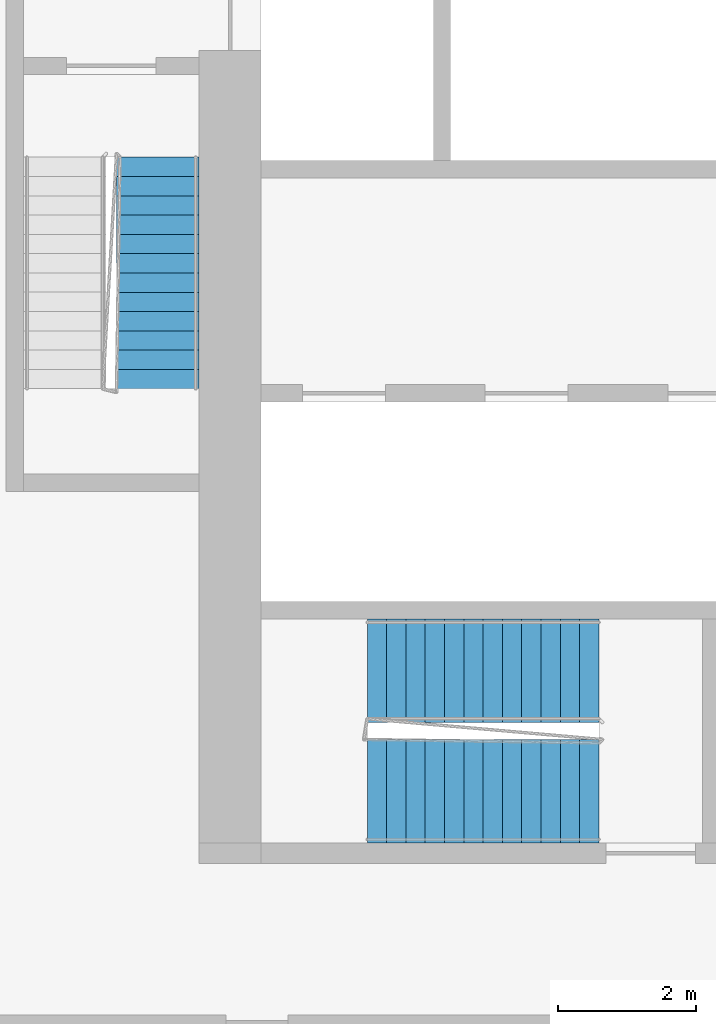
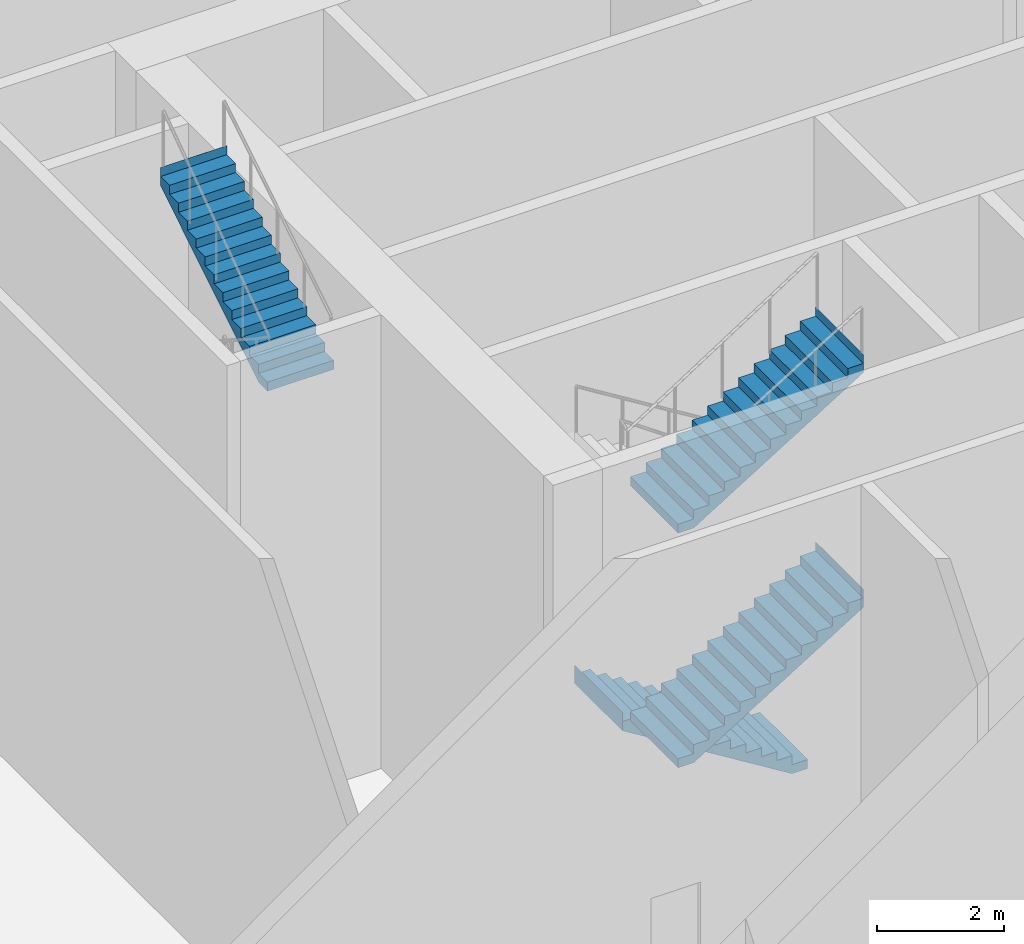
# One storey, part 13 of 24: 4 stair flights, 2 elements without a shape of their own.
"""IFC4 building model written with IfcOpenShell, lengths in metres."""

import ifcopenshell
import ifcopenshell.guid

model = None  # the IFC model being written
_history = None  # IfcOwnerHistory: only IFC2X3 demands one
_inside = {}  # id of a spatial element -> (the spatial element, [elements in it])
_under = {}  # id of a project, library or spatial element -> (it, [spatial elements below it])
_declared = {}  # id of a project -> (the project, [libraries it declares])
_typed = {}  # id of a type object -> (the type object, [elements of that type])
_made_of = {}  # id of a material, layer set ... -> (it, [elements and type objects made of it])


def new_model(schema):
    """Start an empty IFC model of exactly this schema.

    Asked for "IFC4X3", IfcOpenShell would pick the latest addendum, in which some entities
    have other attributes; the version numbers below select the first issue.
    IFC2X3 requires an IfcOwnerHistory on every rooted entity: one is made here for all.
    """
    global model, _history
    if schema == "IFC4X3":
        model = ifcopenshell.file(schema_version=(4, 3, 0, 0))
    else:
        model = ifcopenshell.file(schema=schema)
    _inside.clear()
    _under.clear()
    _declared.clear()
    _typed.clear()
    _made_of.clear()
    _history = None
    if model.schema == "IFC2X3":
        org = make("IfcOrganization", Name="unknown")
        user = make(
            "IfcPersonAndOrganization",
            ThePerson=make("IfcPerson", FamilyName="unknown"),
            TheOrganization=org,
        )
        app = make(
            "IfcApplication",
            ApplicationDeveloper=org,
            Version="unknown",
            ApplicationFullName="unknown",
            ApplicationIdentifier="unknown",
        )
        _history = make(
            "IfcOwnerHistory",
            OwningUser=user,
            OwningApplication=app,
            ChangeAction="ADDED",
            CreationDate=0,
        )
    return model


def make(cls, **values):
    """One entity of the class cls with the attributes given. An attribute that is None is left unset."""
    return model.create_entity(
        cls, **{name: value for name, value in values.items() if value is not None}
    )


def rooted(cls, **values):
    """An entity with a GlobalId (a new one), such as an element, a storey or a relation."""
    return make(cls, GlobalId=ifcopenshell.guid.new(), OwnerHistory=_history, **values)


def si_unit(unit_type, name, prefix=None):
    """IfcSIUnit, for example si_unit("LENGTHUNIT", "METRE", prefix="MILLI")."""
    return make("IfcSIUnit", UnitType=unit_type, Prefix=prefix, Name=name)


def assignment(units):
    """IfcUnitAssignment: the units of a project."""
    return None if units is None else make("IfcUnitAssignment", Units=units)


def point(xyz):
    """IfcCartesianPoint."""
    return None if xyz is None else make("IfcCartesianPoint", Coordinates=xyz)


def direction(xyz):
    """IfcDirection."""
    return None if xyz is None else make("IfcDirection", DirectionRatios=xyz)


def frame(location, z_axis=None, x_axis=None):
    """IfcAxis2Placement3D, a coordinate frame: its origin and axes. An axis left out is left unset."""
    return make(
        "IfcAxis2Placement3D",
        Location=point(location),
        Axis=direction(z_axis),
        RefDirection=direction(x_axis),
    )


def origin():
    """The frame at (0, 0, 0) with its axes left unset."""
    return frame((0.0, 0.0, 0.0))


def place(relative_to, where):
    """IfcLocalPlacement: puts the frame where relative to a parent placement (None: the world)."""
    return make(
        "IfcLocalPlacement", PlacementRelTo=relative_to, RelativePlacement=where
    )


def context(
    kind, dimensions, precision=None, world=None, true_north=None, identifier=None
):
    """IfcGeometricRepresentationContext, for example the 3D "Model" context."""
    return make(
        "IfcGeometricRepresentationContext",
        ContextIdentifier=identifier,
        ContextType=kind,
        CoordinateSpaceDimension=dimensions,
        Precision=precision,
        WorldCoordinateSystem=world,
        TrueNorth=true_north,
    )


def subcontext(parent, identifier, kind, view, scale=None):
    """IfcGeometricRepresentationSubContext, for example "Body" below "Model"."""
    return make(
        "IfcGeometricRepresentationSubContext",
        ContextIdentifier=identifier,
        ContextType=kind,
        ParentContext=parent,
        TargetScale=scale,
        TargetView=view,
    )


def project(units=None, contexts=None):
    """IfcProject with its units and contexts."""
    return rooted(
        "IfcProject",
        Name="project",
        RepresentationContexts=contexts,
        UnitsInContext=assignment(units),
    )


def spatial(cls, under=None, at=None, **own):
    """A site, building, storey or space (cls), placed at a placement, below another one or the project."""
    s = rooted(cls, ObjectPlacement=at, **own)
    if under is not None:
        _under.setdefault(under.id(), (under, []))[1].append(s)
    return s


def faces_of(points, faces, orient=None, outer=None):
    """IfcFace entities. A face is a list of loops; a loop is a list of indices into points, from 0.

    orient and outer hold one flag for each loop. By default every Orientation is true, the
    first loop of a face is its IfcFaceOuterBound and the others are IfcFaceBound.
    """
    made = []
    for i, loops in enumerate(faces):
        bounds = []
        for j, loop in enumerate(loops):
            is_outer = j == 0 if outer is None else outer[i][j]
            bounds.append(
                make(
                    "IfcFaceOuterBound" if is_outer else "IfcFaceBound",
                    Bound=make("IfcPolyLoop", Polygon=[points[k] for k in loop]),
                    Orientation=True if orient is None else orient[i][j],
                )
            )
        made.append(make("IfcFace", Bounds=bounds))
    return made


def faceted_brep(points, faces, orient=None, outer=None, voids=None):
    """IfcFacetedBrep: a solid bounded by flat faces; with voids (closed shells), ...WithVoids."""
    shared = [point(p) for p in points]
    hull = make("IfcClosedShell", CfsFaces=faces_of(shared, faces, orient, outer))
    if voids is None:
        return make("IfcFacetedBrep", Outer=hull)
    return make(
        "IfcFacetedBrepWithVoids",
        Outer=hull,
        Voids=[
            make(cls, CfsFaces=faces_of(shared, fs, o, b)) for cls, fs, o, b in voids
        ],
    )


def shape(context_of_items, identifier, shape_type, items):
    """IfcShapeRepresentation: the items that make up one representation, for example the "Body"."""
    return make(
        "IfcShapeRepresentation",
        ContextOfItems=context_of_items,
        RepresentationIdentifier=identifier,
        RepresentationType=shape_type,
        Items=items,
    )


def material(Name=None, Category=None):
    """IfcMaterial."""
    return make("IfcMaterial", Name=Name, Category=Category)


def made_of(thing, what):
    """Note that an element or type object is made of a material, layer set ...; save() writes the relation."""
    if what is not None:
        _made_of.setdefault(what.id(), (what, []))[1].append(thing)
    return thing


def type_object(cls, material=None, **own):
    """A type object (cls), such as IfcWallType, which elements share."""
    return made_of(rooted(cls, **own), material)


def element(
    cls,
    number,
    at=None,
    inside=None,
    cuts=None,
    type_object=None,
    material=None,
    context=None,
    identifier="Body",
    shape_type=None,
    held_by="IfcProductDefinitionShape",
    body=None,
    shapes=None,
    **own,
):
    """One element of the class cls, such as IfcWall. Its Tag is "e" and its number.

    at: its placement. inside: the storey or other place that contains it. cuts: it is an
    opening in that element (IfcRelVoidsElement). A single representation is given by context,
    identifier, shape_type and body (its items); several are given by shapes. held_by: the class
    of the entity that holds the representations. save() writes the other relations.
    """
    e = rooted(cls, Tag="e%d" % number, ObjectPlacement=at, **own)
    if body is not None:
        shapes = [shape(context, identifier, shape_type, body)]
    if shapes is not None:
        e.Representation = make(held_by, Representations=shapes)
    if inside is not None:
        _inside.setdefault(inside.id(), (inside, []))[1].append(e)
    if cuts is not None:
        rooted(
            "IfcRelVoidsElement", RelatingBuildingElement=cuts, RelatedOpeningElement=e
        )
    if type_object is not None:
        _typed.setdefault(type_object.id(), (type_object, []))[1].append(e)
    return made_of(e, material)


def aggregate(whole, parts):
    """IfcRelAggregates: a whole, such as a stair, and the parts it consists of."""
    return rooted("IfcRelAggregates", RelatingObject=whole, RelatedObjects=parts)


def save(model, path):
    """Write the relations noted so far, then the file.

    IfcRelAggregates (storeys below a building ...), IfcRelContainedInSpatialStructure (elements
    in a storey), IfcRelDefinesByType, IfcRelAssociatesMaterial and IfcRelDeclares: one each for
    every whole, place, type object, material and project.
    """
    for whole, parts in _under.values():
        aggregate(whole, parts)
    for where, things in _inside.values():
        rooted(
            "IfcRelContainedInSpatialStructure",
            RelatedElements=things,
            RelatingStructure=where,
        )
    for kind, things in _typed.values():
        rooted("IfcRelDefinesByType", RelatedObjects=things, RelatingType=kind)
    for what, things in _made_of.values():
        rooted("IfcRelAssociatesMaterial", RelatedObjects=things, RelatingMaterial=what)
    for by, libraries in _declared.values():
        rooted("IfcRelDeclares", RelatingContext=by, RelatedDefinitions=libraries)
    model.write(path)


model = new_model("IFC4")

# Units and contexts
model_context = context("Model", 3, precision=1e-05, world=origin(), true_north=direction((0.0, 1.0)))
body_context = subcontext(model_context, "Body", "Model", "MODEL_VIEW")
ifc_project = project(units=[si_unit("LENGTHUNIT", "METRE"), si_unit("AREAUNIT", "SQUARE_METRE"), si_unit("VOLUMEUNIT", "CUBIC_METRE"), si_unit("PLANEANGLEUNIT", "RADIAN"), si_unit("MASSUNIT", "GRAM", prefix="KILO")], contexts=[model_context])

# Site, building, storey
site_placement = place(None, origin())
site = spatial("IfcSite", under=ifc_project, at=site_placement, CompositionType="ELEMENT")
building_placement = place(site_placement, origin())
building = spatial("IfcBuilding", under=site, at=building_placement, Name="Kajstack Hotel Tower", CompositionType="ELEMENT")
storey_placement = place(building_placement, frame((0.0, 0.0, 38.0)))
storey = spatial("IfcBuildingStorey", under=building, at=storey_placement, Name="L06", CompositionType="ELEMENT", Elevation=38.0)

# Stair, stair flight
ifc_material = material(Name="Concrete C40/50", Category="concrete")
stair_type_1 = type_object("IfcStairType", Name="Exit stair 1200", PredefinedType="HALF_TURN_STAIR", material=ifc_material)
stair_1_placement = place(storey_placement, origin())
stair_1 = element("IfcStair", 1, at=stair_1_placement, inside=storey, type_object=stair_type_1, Name="L06 stair W1", PredefinedType="HALF_TURN_STAIR")
stair_flight_type_1 = type_object("IfcStairFlightType", Name="Exit stair flight 1200", PredefinedType="STRAIGHT", material=ifc_material)
stair_flight_1_placement = place(storey_placement, frame((-32.10009765625, -8.610107421875, 6.75), z_axis=(0.0, 0.0, 1.0), x_axis=(0.0, 1.0, 0.0)))
stair_flight_1 = element("IfcStairFlight", 2, at=stair_flight_1_placement, type_object=stair_flight_type_1, Name="W1 flight 4", NumberOfRisers=13, NumberOfTreads=12, PredefinedType="STRAIGHT", RiserHeight=0.173076923, TreadLength=0.28, context=body_context, shape_type="Brep", body=[
    faceted_brep([(0.28564453125, -0.60009765625, 0.0), (3.360595703125, -0.60009765625, 1.900634765625), (3.360595703125, -0.60009765625, 2.25), (3.360107421875, -0.60009765625, 2.25), (3.360107421875, -0.60009765625, 2.076904296875), (3.080078125, -0.60009765625, 2.076904296875), (3.080078125, -0.60009765625, 1.90380859375), (2.800048828125, -0.60009765625, 1.90380859375), (2.800048828125, -0.60009765625, 1.730712890625), (2.52001953125, -0.60009765625, 1.730712890625), (2.52001953125, -0.60009765625, 1.5576171875), (2.239990234375, -0.60009765625, 1.5576171875), (2.239990234375, -0.60009765625, 1.384521484375), (1.9599609375, -0.60009765625, 1.384521484375), (1.9599609375, -0.60009765625, 1.21142578125), (1.679931640625, -0.60009765625, 1.21142578125), (1.679931640625, -0.60009765625, 1.03857421875), (1.39990234375, -0.60009765625, 1.03857421875), (1.39990234375, -0.60009765625, 0.865478515625), (1.1201171875, -0.60009765625, 0.865478515625), (1.1201171875, -0.60009765625, 0.6923828125), (0.840087890625, -0.60009765625, 0.6923828125), (0.840087890625, -0.60009765625, 0.519287109375), (0.56005859375, -0.60009765625, 0.519287109375), (0.56005859375, -0.60009765625, 0.34619140625), (0.280029296875, -0.60009765625, 0.34619140625), (0.280029296875, -0.60009765625, 0.173095703125), (-0.00048828125, -0.60009765625, 0.173095703125), (-0.00048828125, -0.60009765625, 0.0), (-0.00048828125, 0.60009765625, 0.0), (-0.00048828125, 0.60009765625, 0.173095703125), (0.280029296875, 0.60009765625, 0.173095703125), (0.280029296875, 0.60009765625, 0.34619140625), (0.56005859375, 0.60009765625, 0.34619140625), (0.56005859375, 0.60009765625, 0.519287109375), (0.840087890625, 0.60009765625, 0.519287109375), (0.840087890625, 0.60009765625, 0.6923828125), (1.1201171875, 0.60009765625, 0.6923828125), (1.1201171875, 0.60009765625, 0.865478515625), (1.39990234375, 0.60009765625, 0.865478515625), (1.39990234375, 0.60009765625, 1.03857421875), (1.679931640625, 0.60009765625, 1.03857421875), (1.679931640625, 0.60009765625, 1.21142578125), (1.9599609375, 0.60009765625, 1.21142578125), (1.9599609375, 0.60009765625, 1.384521484375), (2.239990234375, 0.60009765625, 1.384521484375), (2.239990234375, 0.60009765625, 1.5576171875), (2.52001953125, 0.60009765625, 1.5576171875), (2.52001953125, 0.60009765625, 1.730712890625), (2.800048828125, 0.60009765625, 1.730712890625), (2.800048828125, 0.60009765625, 1.90380859375), (3.080078125, 0.60009765625, 1.90380859375), (3.080078125, 0.60009765625, 2.076904296875), (3.360107421875, 0.60009765625, 2.076904296875), (3.360107421875, 0.60009765625, 2.25), (3.360595703125, 0.60009765625, 2.25), (3.360595703125, 0.60009765625, 1.900634765625), (0.28564453125, 0.60009765625, 0.0), (-0.00048828125, -0.300048828125, 0.173095703125), (-0.00048828125, 0.0, 0.173095703125), (-0.00048828125, 0.300048828125, 0.173095703125), (-0.00048828125, 0.300048828125, 0.0), (-0.00048828125, 0.0, 0.0), (-0.00048828125, -0.300048828125, 0.0), (0.280029296875, -0.300048828125, 0.173095703125), (0.280029296875, 0.0, 0.173095703125), (0.280029296875, 0.300048828125, 0.173095703125), (0.280029296875, -0.300048828125, 0.34619140625), (0.280029296875, 0.0, 0.34619140625), (0.280029296875, 0.300048828125, 0.34619140625), (0.56005859375, -0.300048828125, 0.34619140625), (0.56005859375, 0.0, 0.34619140625), (0.56005859375, 0.300048828125, 0.34619140625), (0.56005859375, -0.300048828125, 0.519287109375), (0.56005859375, 0.0, 0.519287109375), (0.56005859375, 0.300048828125, 0.519287109375), (0.840087890625, -0.300048828125, 0.519287109375), (0.840087890625, 0.0, 0.519287109375), (0.840087890625, 0.300048828125, 0.519287109375), (0.840087890625, -0.300048828125, 0.6923828125), (0.840087890625, 0.0, 0.6923828125), (0.840087890625, 0.300048828125, 0.6923828125), (1.1201171875, -0.300048828125, 0.6923828125), (1.1201171875, 0.0, 0.6923828125), (1.1201171875, 0.300048828125, 0.6923828125), (1.1201171875, -0.300048828125, 0.865478515625), (1.1201171875, 0.0, 0.865478515625), (1.1201171875, 0.300048828125, 0.865478515625), (1.39990234375, -0.300048828125, 0.865478515625), (1.39990234375, 0.0, 0.865478515625), (1.39990234375, 0.300048828125, 0.865478515625), (1.39990234375, -0.300048828125, 1.03857421875), (1.39990234375, 0.0, 1.03857421875), (1.39990234375, 0.300048828125, 1.03857421875), (1.679931640625, -0.300048828125, 1.03857421875), (1.679931640625, 0.0, 1.03857421875), (1.679931640625, 0.300048828125, 1.03857421875), (1.679931640625, -0.300048828125, 1.21142578125), (1.679931640625, 0.0, 1.21142578125), (1.679931640625, 0.300048828125, 1.21142578125), (1.9599609375, -0.300048828125, 1.21142578125), (1.9599609375, 0.0, 1.21142578125), (1.9599609375, 0.300048828125, 1.21142578125), (1.9599609375, -0.300048828125, 1.384521484375), (1.9599609375, 0.0, 1.384521484375), (1.9599609375, 0.300048828125, 1.384521484375), (2.239990234375, -0.300048828125, 1.384521484375), (2.239990234375, 0.0, 1.384521484375), (2.239990234375, 0.300048828125, 1.384521484375), (2.239990234375, -0.300048828125, 1.5576171875), (2.239990234375, 0.0, 1.5576171875), (2.239990234375, 0.300048828125, 1.5576171875), (2.52001953125, -0.300048828125, 1.5576171875), (2.52001953125, 0.0, 1.5576171875), (2.52001953125, 0.300048828125, 1.5576171875), (2.52001953125, -0.300048828125, 1.730712890625), (2.52001953125, 0.0, 1.730712890625), (2.52001953125, 0.300048828125, 1.730712890625), (2.800048828125, -0.300048828125, 1.730712890625), (2.800048828125, 0.0, 1.730712890625), (2.800048828125, 0.300048828125, 1.730712890625), (2.800048828125, -0.300048828125, 1.90380859375), (2.800048828125, 0.0, 1.90380859375), (2.800048828125, 0.300048828125, 1.90380859375), (3.080078125, -0.300048828125, 1.90380859375), (3.080078125, 0.0, 1.90380859375), (3.080078125, 0.300048828125, 1.90380859375), (3.080078125, -0.300048828125, 2.076904296875), (3.080078125, 0.0, 2.076904296875), (3.080078125, 0.300048828125, 2.076904296875), (3.360107421875, -0.300048828125, 2.076904296875), (3.360107421875, 0.0, 2.076904296875), (3.360107421875, 0.300048828125, 2.076904296875), (3.360107421875, -0.300048828125, 2.25), (3.360107421875, 0.0, 2.25), (3.360107421875, 0.300048828125, 2.25), (3.360595703125, -0.300048828125, 2.25), (3.360595703125, 0.0, 2.25), (3.360595703125, 0.300048828125, 2.25), (3.360595703125, -0.300048828125, 1.900634765625), (3.360595703125, 0.0, 1.900634765625), (3.360595703125, 0.300048828125, 1.900634765625), (0.28564453125, -0.300048828125, 0.0), (0.28564453125, 0.0, 0.0), (0.28564453125, 0.300048828125, 0.0)], [[[0, 1, 2, 3, 4, 5, 6, 7, 8, 9, 10, 11, 12, 13, 14, 15, 16, 17, 18, 19, 20, 21, 22, 23, 24, 25, 26, 27, 28]], [[29, 30, 31, 32, 33, 34, 35, 36, 37, 38, 39, 40, 41, 42, 43, 44, 45, 46, 47, 48, 49, 50, 51, 52, 53, 54, 55, 56, 57]], [[27, 58, 59, 60, 30, 29, 61, 62, 63, 28]], [[26, 64, 65, 66, 31, 30, 60, 59, 58, 27]], [[25, 67, 68, 69, 32, 31, 66, 65, 64, 26]], [[24, 70, 71, 72, 33, 32, 69, 68, 67, 25]], [[23, 73, 74, 75, 34, 33, 72, 71, 70, 24]], [[22, 76, 77, 78, 35, 34, 75, 74, 73, 23]], [[21, 79, 80, 81, 36, 35, 78, 77, 76, 22]], [[20, 82, 83, 84, 37, 36, 81, 80, 79, 21]], [[19, 85, 86, 87, 38, 37, 84, 83, 82, 20]], [[18, 88, 89, 90, 39, 38, 87, 86, 85, 19]], [[17, 91, 92, 93, 40, 39, 90, 89, 88, 18]], [[16, 94, 95, 96, 41, 40, 93, 92, 91, 17]], [[15, 97, 98, 99, 42, 41, 96, 95, 94, 16]], [[14, 100, 101, 102, 43, 42, 99, 98, 97, 15]], [[13, 103, 104, 105, 44, 43, 102, 101, 100, 14]], [[12, 106, 107, 108, 45, 44, 105, 104, 103, 13]], [[11, 109, 110, 111, 46, 45, 108, 107, 106, 12]], [[10, 112, 113, 114, 47, 46, 111, 110, 109, 11]], [[9, 115, 116, 117, 48, 47, 114, 113, 112, 10]], [[8, 118, 119, 120, 49, 48, 117, 116, 115, 9]], [[7, 121, 122, 123, 50, 49, 120, 119, 118, 8]], [[6, 124, 125, 126, 51, 50, 123, 122, 121, 7]], [[5, 127, 128, 129, 52, 51, 126, 125, 124, 6]], [[4, 130, 131, 132, 53, 52, 129, 128, 127, 5]], [[3, 133, 134, 135, 54, 53, 132, 131, 130, 4]], [[2, 136, 137, 138, 55, 54, 135, 134, 133, 3]], [[1, 139, 140, 141, 56, 55, 138, 137, 136, 2]], [[0, 142, 143, 144, 57, 56, 141, 140, 139, 1]], [[28, 63, 62, 61, 29, 57, 144, 143, 142, 0]]]),
])
aggregate(stair_1, [stair_flight_1])

# Stair, stair flights
stair_type_2 = type_object("IfcStairType", Name="Exit stair 1500", PredefinedType="HALF_TURN_STAIR", material=ifc_material)
stair_2_placement = place(storey_placement, origin())
stair_2 = element("IfcStair", 3, at=stair_2_placement, inside=storey, type_object=stair_type_2, Name="L06 stair W3", PredefinedType="HALF_TURN_STAIR")
stair_flight_type_2 = type_object("IfcStairFlightType", Name="Exit stair flight 1500", PredefinedType="STRAIGHT", material=ifc_material)
stair_flight_2_placement = place(storey_placement, frame((-25.699951171875, -12.699951171875, 0.0), z_axis=(0.0, 0.0, 1.0), x_axis=(-1.0, 0.0, 0.0)))
stair_flight_2 = element("IfcStairFlight", 4, at=stair_flight_2_placement, type_object=stair_flight_type_2, Name="W3 flight 1", NumberOfRisers=13, NumberOfTreads=12, PredefinedType="STRAIGHT", RiserHeight=0.173076923, TreadLength=0.28, context=body_context, shape_type="Brep", body=[
    faceted_brep([(0.28564453125, -0.75, 0.0), (3.360595703125, -0.75, 1.900634765625), (3.360595703125, -0.75, 2.25), (3.360107421875, -0.75, 2.25), (3.360107421875, -0.75, 2.076904296875), (3.080078125, -0.75, 2.076904296875), (3.080078125, -0.75, 1.90380859375), (2.800048828125, -0.75, 1.90380859375), (2.800048828125, -0.75, 1.730712890625), (2.52001953125, -0.75, 1.730712890625), (2.52001953125, -0.75, 1.5576171875), (2.239990234375, -0.75, 1.5576171875), (2.239990234375, -0.75, 1.384521484375), (1.9599609375, -0.75, 1.384521484375), (1.9599609375, -0.75, 1.21142578125), (1.679931640625, -0.75, 1.21142578125), (1.679931640625, -0.75, 1.03857421875), (1.39990234375, -0.75, 1.03857421875), (1.39990234375, -0.75, 0.865478515625), (1.1201171875, -0.75, 0.865478515625), (1.1201171875, -0.75, 0.6923828125), (0.840087890625, -0.75, 0.6923828125), (0.840087890625, -0.75, 0.519287109375), (0.56005859375, -0.75, 0.519287109375), (0.56005859375, -0.75, 0.34619140625), (0.280029296875, -0.75, 0.34619140625), (0.280029296875, -0.75, 0.173095703125), (-0.00048828125, -0.75, 0.173095703125), (-0.00048828125, -0.75, 0.0), (-0.00048828125, 0.75, 0.0), (-0.00048828125, 0.75, 0.173095703125), (0.280029296875, 0.75, 0.173095703125), (0.280029296875, 0.75, 0.34619140625), (0.56005859375, 0.75, 0.34619140625), (0.56005859375, 0.75, 0.519287109375), (0.840087890625, 0.75, 0.519287109375), (0.840087890625, 0.75, 0.6923828125), (1.1201171875, 0.75, 0.6923828125), (1.1201171875, 0.75, 0.865478515625), (1.39990234375, 0.75, 0.865478515625), (1.39990234375, 0.75, 1.03857421875), (1.679931640625, 0.75, 1.03857421875), (1.679931640625, 0.75, 1.21142578125), (1.9599609375, 0.75, 1.21142578125), (1.9599609375, 0.75, 1.384521484375), (2.239990234375, 0.75, 1.384521484375), (2.239990234375, 0.75, 1.5576171875), (2.52001953125, 0.75, 1.5576171875), (2.52001953125, 0.75, 1.730712890625), (2.800048828125, 0.75, 1.730712890625), (2.800048828125, 0.75, 1.90380859375), (3.080078125, 0.75, 1.90380859375), (3.080078125, 0.75, 2.076904296875), (3.360107421875, 0.75, 2.076904296875), (3.360107421875, 0.75, 2.25), (3.360595703125, 0.75, 2.25), (3.360595703125, 0.75, 1.900634765625), (0.28564453125, 0.75, 0.0), (-0.00048828125, -0.375, 0.173095703125), (-0.00048828125, 0.0, 0.173095703125), (-0.00048828125, 0.375, 0.173095703125), (-0.00048828125, 0.375, 0.0), (-0.00048828125, 0.0, 0.0), (-0.00048828125, -0.375, 0.0), (0.280029296875, -0.375, 0.173095703125), (0.280029296875, 0.0, 0.173095703125), (0.280029296875, 0.375, 0.173095703125), (0.280029296875, -0.375, 0.34619140625), (0.280029296875, 0.0, 0.34619140625), (0.280029296875, 0.375, 0.34619140625), (0.56005859375, -0.375, 0.34619140625), (0.56005859375, 0.0, 0.34619140625), (0.56005859375, 0.375, 0.34619140625), (0.56005859375, -0.375, 0.519287109375), (0.56005859375, 0.0, 0.519287109375), (0.56005859375, 0.375, 0.519287109375), (0.840087890625, -0.375, 0.519287109375), (0.840087890625, 0.0, 0.519287109375), (0.840087890625, 0.375, 0.519287109375), (0.840087890625, -0.375, 0.6923828125), (0.840087890625, 0.0, 0.6923828125), (0.840087890625, 0.375, 0.6923828125), (1.1201171875, -0.375, 0.6923828125), (1.1201171875, 0.0, 0.6923828125), (1.1201171875, 0.375, 0.6923828125), (1.1201171875, -0.375, 0.865478515625), (1.1201171875, 0.0, 0.865478515625), (1.1201171875, 0.375, 0.865478515625), (1.39990234375, -0.375, 0.865478515625), (1.39990234375, 0.0, 0.865478515625), (1.39990234375, 0.375, 0.865478515625), (1.39990234375, -0.375, 1.03857421875), (1.39990234375, 0.0, 1.03857421875), (1.39990234375, 0.375, 1.03857421875), (1.679931640625, -0.375, 1.03857421875), (1.679931640625, 0.0, 1.03857421875), (1.679931640625, 0.375, 1.03857421875), (1.679931640625, -0.375, 1.21142578125), (1.679931640625, 0.0, 1.21142578125), (1.679931640625, 0.375, 1.21142578125), (1.9599609375, -0.375, 1.21142578125), (1.9599609375, 0.0, 1.21142578125), (1.9599609375, 0.375, 1.21142578125), (1.9599609375, -0.375, 1.384521484375), (1.9599609375, 0.0, 1.384521484375), (1.9599609375, 0.375, 1.384521484375), (2.239990234375, -0.375, 1.384521484375), (2.239990234375, 0.0, 1.384521484375), (2.239990234375, 0.375, 1.384521484375), (2.239990234375, -0.375, 1.5576171875), (2.239990234375, 0.0, 1.5576171875), (2.239990234375, 0.375, 1.5576171875), (2.52001953125, -0.375, 1.5576171875), (2.52001953125, 0.0, 1.5576171875), (2.52001953125, 0.375, 1.5576171875), (2.52001953125, -0.375, 1.730712890625), (2.52001953125, 0.0, 1.730712890625), (2.52001953125, 0.375, 1.730712890625), (2.800048828125, -0.375, 1.730712890625), (2.800048828125, 0.0, 1.730712890625), (2.800048828125, 0.375, 1.730712890625), (2.800048828125, -0.375, 1.90380859375), (2.800048828125, 0.0, 1.90380859375), (2.800048828125, 0.375, 1.90380859375), (3.080078125, -0.375, 1.90380859375), (3.080078125, 0.0, 1.90380859375), (3.080078125, 0.375, 1.90380859375), (3.080078125, -0.375, 2.076904296875), (3.080078125, 0.0, 2.076904296875), (3.080078125, 0.375, 2.076904296875), (3.360107421875, -0.375, 2.076904296875), (3.360107421875, 0.0, 2.076904296875), (3.360107421875, 0.375, 2.076904296875), (3.360107421875, -0.375, 2.25), (3.360107421875, 0.0, 2.25), (3.360107421875, 0.375, 2.25), (3.360595703125, -0.375, 2.25), (3.360595703125, 0.0, 2.25), (3.360595703125, 0.375, 2.25), (3.360595703125, -0.375, 1.900634765625), (3.360595703125, 0.0, 1.900634765625), (3.360595703125, 0.375, 1.900634765625), (0.28564453125, -0.375, 0.0), (0.28564453125, 0.0, 0.0), (0.28564453125, 0.375, 0.0)], [[[0, 1, 2, 3, 4, 5, 6, 7, 8, 9, 10, 11, 12, 13, 14, 15, 16, 17, 18, 19, 20, 21, 22, 23, 24, 25, 26, 27, 28]], [[29, 30, 31, 32, 33, 34, 35, 36, 37, 38, 39, 40, 41, 42, 43, 44, 45, 46, 47, 48, 49, 50, 51, 52, 53, 54, 55, 56, 57]], [[27, 58, 59, 60, 30, 29, 61, 62, 63, 28]], [[26, 64, 65, 66, 31, 30, 60, 59, 58, 27]], [[25, 67, 68, 69, 32, 31, 66, 65, 64, 26]], [[24, 70, 71, 72, 33, 32, 69, 68, 67, 25]], [[23, 73, 74, 75, 34, 33, 72, 71, 70, 24]], [[22, 76, 77, 78, 35, 34, 75, 74, 73, 23]], [[21, 79, 80, 81, 36, 35, 78, 77, 76, 22]], [[20, 82, 83, 84, 37, 36, 81, 80, 79, 21]], [[19, 85, 86, 87, 38, 37, 84, 83, 82, 20]], [[18, 88, 89, 90, 39, 38, 87, 86, 85, 19]], [[17, 91, 92, 93, 40, 39, 90, 89, 88, 18]], [[16, 94, 95, 96, 41, 40, 93, 92, 91, 17]], [[15, 97, 98, 99, 42, 41, 96, 95, 94, 16]], [[14, 100, 101, 102, 43, 42, 99, 98, 97, 15]], [[13, 103, 104, 105, 44, 43, 102, 101, 100, 14]], [[12, 106, 107, 108, 45, 44, 105, 104, 103, 13]], [[11, 109, 110, 111, 46, 45, 108, 107, 106, 12]], [[10, 112, 113, 114, 47, 46, 111, 110, 109, 11]], [[9, 115, 116, 117, 48, 47, 114, 113, 112, 10]], [[8, 118, 119, 120, 49, 48, 117, 116, 115, 9]], [[7, 121, 122, 123, 50, 49, 120, 119, 118, 8]], [[6, 124, 125, 126, 51, 50, 123, 122, 121, 7]], [[5, 127, 128, 129, 52, 51, 126, 125, 124, 6]], [[4, 130, 131, 132, 53, 52, 129, 128, 127, 5]], [[3, 133, 134, 135, 54, 53, 132, 131, 130, 4]], [[2, 136, 137, 138, 55, 54, 135, 134, 133, 3]], [[1, 139, 140, 141, 56, 55, 138, 137, 136, 2]], [[0, 142, 143, 144, 57, 56, 141, 140, 139, 1]], [[28, 63, 62, 61, 29, 57, 144, 143, 142, 0]]]),
])
stair_flight_3_placement = place(storey_placement, frame((-29.06005859375, -14.449951171875, 2.25), z_axis=(0.0, 0.0, 1.0), x_axis=(1.0, 0.0, 0.0)))
stair_flight_3 = element("IfcStairFlight", 5, at=stair_flight_3_placement, type_object=stair_flight_type_2, Name="W3 flight 2", NumberOfRisers=13, NumberOfTreads=12, PredefinedType="STRAIGHT", RiserHeight=0.173076923, TreadLength=0.28, context=body_context, shape_type="Brep", body=[
    faceted_brep([(0.28564453125, -0.75, 0.0), (3.360595703125, -0.75, 1.900634765625), (3.360595703125, -0.75, 2.25), (3.360107421875, -0.75, 2.25), (3.360107421875, -0.75, 2.076904296875), (3.080078125, -0.75, 2.076904296875), (3.080078125, -0.75, 1.90380859375), (2.800048828125, -0.75, 1.90380859375), (2.800048828125, -0.75, 1.730712890625), (2.52001953125, -0.75, 1.730712890625), (2.52001953125, -0.75, 1.5576171875), (2.239990234375, -0.75, 1.5576171875), (2.239990234375, -0.75, 1.384521484375), (1.9599609375, -0.75, 1.384521484375), (1.9599609375, -0.75, 1.21142578125), (1.679931640625, -0.75, 1.21142578125), (1.679931640625, -0.75, 1.03857421875), (1.39990234375, -0.75, 1.03857421875), (1.39990234375, -0.75, 0.865478515625), (1.1201171875, -0.75, 0.865478515625), (1.1201171875, -0.75, 0.6923828125), (0.840087890625, -0.75, 0.6923828125), (0.840087890625, -0.75, 0.519287109375), (0.56005859375, -0.75, 0.519287109375), (0.56005859375, -0.75, 0.34619140625), (0.280029296875, -0.75, 0.34619140625), (0.280029296875, -0.75, 0.173095703125), (-0.00048828125, -0.75, 0.173095703125), (-0.00048828125, -0.75, 0.0), (-0.00048828125, 0.75, 0.0), (-0.00048828125, 0.75, 0.173095703125), (0.280029296875, 0.75, 0.173095703125), (0.280029296875, 0.75, 0.34619140625), (0.56005859375, 0.75, 0.34619140625), (0.56005859375, 0.75, 0.519287109375), (0.840087890625, 0.75, 0.519287109375), (0.840087890625, 0.75, 0.6923828125), (1.1201171875, 0.75, 0.6923828125), (1.1201171875, 0.75, 0.865478515625), (1.39990234375, 0.75, 0.865478515625), (1.39990234375, 0.75, 1.03857421875), (1.679931640625, 0.75, 1.03857421875), (1.679931640625, 0.75, 1.21142578125), (1.9599609375, 0.75, 1.21142578125), (1.9599609375, 0.75, 1.384521484375), (2.239990234375, 0.75, 1.384521484375), (2.239990234375, 0.75, 1.5576171875), (2.52001953125, 0.75, 1.5576171875), (2.52001953125, 0.75, 1.730712890625), (2.800048828125, 0.75, 1.730712890625), (2.800048828125, 0.75, 1.90380859375), (3.080078125, 0.75, 1.90380859375), (3.080078125, 0.75, 2.076904296875), (3.360107421875, 0.75, 2.076904296875), (3.360107421875, 0.75, 2.25), (3.360595703125, 0.75, 2.25), (3.360595703125, 0.75, 1.900634765625), (0.28564453125, 0.75, 0.0), (-0.00048828125, -0.375, 0.173095703125), (-0.00048828125, 0.0, 0.173095703125), (-0.00048828125, 0.375, 0.173095703125), (-0.00048828125, 0.375, 0.0), (-0.00048828125, 0.0, 0.0), (-0.00048828125, -0.375, 0.0), (0.280029296875, -0.375, 0.173095703125), (0.280029296875, 0.0, 0.173095703125), (0.280029296875, 0.375, 0.173095703125), (0.280029296875, -0.375, 0.34619140625), (0.280029296875, 0.0, 0.34619140625), (0.280029296875, 0.375, 0.34619140625), (0.56005859375, -0.375, 0.34619140625), (0.56005859375, 0.0, 0.34619140625), (0.56005859375, 0.375, 0.34619140625), (0.56005859375, -0.375, 0.519287109375), (0.56005859375, 0.0, 0.519287109375), (0.56005859375, 0.375, 0.519287109375), (0.840087890625, -0.375, 0.519287109375), (0.840087890625, 0.0, 0.519287109375), (0.840087890625, 0.375, 0.519287109375), (0.840087890625, -0.375, 0.6923828125), (0.840087890625, 0.0, 0.6923828125), (0.840087890625, 0.375, 0.6923828125), (1.1201171875, -0.375, 0.6923828125), (1.1201171875, 0.0, 0.6923828125), (1.1201171875, 0.375, 0.6923828125), (1.1201171875, -0.375, 0.865478515625), (1.1201171875, 0.0, 0.865478515625), (1.1201171875, 0.375, 0.865478515625), (1.39990234375, -0.375, 0.865478515625), (1.39990234375, 0.0, 0.865478515625), (1.39990234375, 0.375, 0.865478515625), (1.39990234375, -0.375, 1.03857421875), (1.39990234375, 0.0, 1.03857421875), (1.39990234375, 0.375, 1.03857421875), (1.679931640625, -0.375, 1.03857421875), (1.679931640625, 0.0, 1.03857421875), (1.679931640625, 0.375, 1.03857421875), (1.679931640625, -0.375, 1.21142578125), (1.679931640625, 0.0, 1.21142578125), (1.679931640625, 0.375, 1.21142578125), (1.9599609375, -0.375, 1.21142578125), (1.9599609375, 0.0, 1.21142578125), (1.9599609375, 0.375, 1.21142578125), (1.9599609375, -0.375, 1.384521484375), (1.9599609375, 0.0, 1.384521484375), (1.9599609375, 0.375, 1.384521484375), (2.239990234375, -0.375, 1.384521484375), (2.239990234375, 0.0, 1.384521484375), (2.239990234375, 0.375, 1.384521484375), (2.239990234375, -0.375, 1.5576171875), (2.239990234375, 0.0, 1.5576171875), (2.239990234375, 0.375, 1.5576171875), (2.52001953125, -0.375, 1.5576171875), (2.52001953125, 0.0, 1.5576171875), (2.52001953125, 0.375, 1.5576171875), (2.52001953125, -0.375, 1.730712890625), (2.52001953125, 0.0, 1.730712890625), (2.52001953125, 0.375, 1.730712890625), (2.800048828125, -0.375, 1.730712890625), (2.800048828125, 0.0, 1.730712890625), (2.800048828125, 0.375, 1.730712890625), (2.800048828125, -0.375, 1.90380859375), (2.800048828125, 0.0, 1.90380859375), (2.800048828125, 0.375, 1.90380859375), (3.080078125, -0.375, 1.90380859375), (3.080078125, 0.0, 1.90380859375), (3.080078125, 0.375, 1.90380859375), (3.080078125, -0.375, 2.076904296875), (3.080078125, 0.0, 2.076904296875), (3.080078125, 0.375, 2.076904296875), (3.360107421875, -0.375, 2.076904296875), (3.360107421875, 0.0, 2.076904296875), (3.360107421875, 0.375, 2.076904296875), (3.360107421875, -0.375, 2.25), (3.360107421875, 0.0, 2.25), (3.360107421875, 0.375, 2.25), (3.360595703125, -0.375, 2.25), (3.360595703125, 0.0, 2.25), (3.360595703125, 0.375, 2.25), (3.360595703125, -0.375, 1.900634765625), (3.360595703125, 0.0, 1.900634765625), (3.360595703125, 0.375, 1.900634765625), (0.28564453125, -0.375, 0.0), (0.28564453125, 0.0, 0.0), (0.28564453125, 0.375, 0.0)], [[[0, 1, 2, 3, 4, 5, 6, 7, 8, 9, 10, 11, 12, 13, 14, 15, 16, 17, 18, 19, 20, 21, 22, 23, 24, 25, 26, 27, 28]], [[29, 30, 31, 32, 33, 34, 35, 36, 37, 38, 39, 40, 41, 42, 43, 44, 45, 46, 47, 48, 49, 50, 51, 52, 53, 54, 55, 56, 57]], [[27, 58, 59, 60, 30, 29, 61, 62, 63, 28]], [[26, 64, 65, 66, 31, 30, 60, 59, 58, 27]], [[25, 67, 68, 69, 32, 31, 66, 65, 64, 26]], [[24, 70, 71, 72, 33, 32, 69, 68, 67, 25]], [[23, 73, 74, 75, 34, 33, 72, 71, 70, 24]], [[22, 76, 77, 78, 35, 34, 75, 74, 73, 23]], [[21, 79, 80, 81, 36, 35, 78, 77, 76, 22]], [[20, 82, 83, 84, 37, 36, 81, 80, 79, 21]], [[19, 85, 86, 87, 38, 37, 84, 83, 82, 20]], [[18, 88, 89, 90, 39, 38, 87, 86, 85, 19]], [[17, 91, 92, 93, 40, 39, 90, 89, 88, 18]], [[16, 94, 95, 96, 41, 40, 93, 92, 91, 17]], [[15, 97, 98, 99, 42, 41, 96, 95, 94, 16]], [[14, 100, 101, 102, 43, 42, 99, 98, 97, 15]], [[13, 103, 104, 105, 44, 43, 102, 101, 100, 14]], [[12, 106, 107, 108, 45, 44, 105, 104, 103, 13]], [[11, 109, 110, 111, 46, 45, 108, 107, 106, 12]], [[10, 112, 113, 114, 47, 46, 111, 110, 109, 11]], [[9, 115, 116, 117, 48, 47, 114, 113, 112, 10]], [[8, 118, 119, 120, 49, 48, 117, 116, 115, 9]], [[7, 121, 122, 123, 50, 49, 120, 119, 118, 8]], [[6, 124, 125, 126, 51, 50, 123, 122, 121, 7]], [[5, 127, 128, 129, 52, 51, 126, 125, 124, 6]], [[4, 130, 131, 132, 53, 52, 129, 128, 127, 5]], [[3, 133, 134, 135, 54, 53, 132, 131, 130, 4]], [[2, 136, 137, 138, 55, 54, 135, 134, 133, 3]], [[1, 139, 140, 141, 56, 55, 138, 137, 136, 2]], [[0, 142, 143, 144, 57, 56, 141, 140, 139, 1]], [[28, 63, 62, 61, 29, 57, 144, 143, 142, 0]]]),
])
stair_flight_4_placement = place(storey_placement, frame((-29.06005859375, -14.449951171875, 6.75), z_axis=(0.0, 0.0, 1.0), x_axis=(1.0, 0.0, 0.0)))
stair_flight_4 = element("IfcStairFlight", 6, at=stair_flight_4_placement, type_object=stair_flight_type_2, Name="W3 flight 4", NumberOfRisers=13, NumberOfTreads=12, PredefinedType="STRAIGHT", RiserHeight=0.173076923, TreadLength=0.28, context=body_context, shape_type="Brep", body=[
    faceted_brep([(0.28564453125, -0.75, 0.0), (3.360595703125, -0.75, 1.900634765625), (3.360595703125, -0.75, 2.25), (3.360107421875, -0.75, 2.25), (3.360107421875, -0.75, 2.076904296875), (3.080078125, -0.75, 2.076904296875), (3.080078125, -0.75, 1.90380859375), (2.800048828125, -0.75, 1.90380859375), (2.800048828125, -0.75, 1.730712890625), (2.52001953125, -0.75, 1.730712890625), (2.52001953125, -0.75, 1.5576171875), (2.239990234375, -0.75, 1.5576171875), (2.239990234375, -0.75, 1.384521484375), (1.9599609375, -0.75, 1.384521484375), (1.9599609375, -0.75, 1.21142578125), (1.679931640625, -0.75, 1.21142578125), (1.679931640625, -0.75, 1.03857421875), (1.39990234375, -0.75, 1.03857421875), (1.39990234375, -0.75, 0.865478515625), (1.1201171875, -0.75, 0.865478515625), (1.1201171875, -0.75, 0.6923828125), (0.840087890625, -0.75, 0.6923828125), (0.840087890625, -0.75, 0.519287109375), (0.56005859375, -0.75, 0.519287109375), (0.56005859375, -0.75, 0.34619140625), (0.280029296875, -0.75, 0.34619140625), (0.280029296875, -0.75, 0.173095703125), (-0.00048828125, -0.75, 0.173095703125), (-0.00048828125, -0.75, 0.0), (-0.00048828125, 0.75, 0.0), (-0.00048828125, 0.75, 0.173095703125), (0.280029296875, 0.75, 0.173095703125), (0.280029296875, 0.75, 0.34619140625), (0.56005859375, 0.75, 0.34619140625), (0.56005859375, 0.75, 0.519287109375), (0.840087890625, 0.75, 0.519287109375), (0.840087890625, 0.75, 0.6923828125), (1.1201171875, 0.75, 0.6923828125), (1.1201171875, 0.75, 0.865478515625), (1.39990234375, 0.75, 0.865478515625), (1.39990234375, 0.75, 1.03857421875), (1.679931640625, 0.75, 1.03857421875), (1.679931640625, 0.75, 1.21142578125), (1.9599609375, 0.75, 1.21142578125), (1.9599609375, 0.75, 1.384521484375), (2.239990234375, 0.75, 1.384521484375), (2.239990234375, 0.75, 1.5576171875), (2.52001953125, 0.75, 1.5576171875), (2.52001953125, 0.75, 1.730712890625), (2.800048828125, 0.75, 1.730712890625), (2.800048828125, 0.75, 1.90380859375), (3.080078125, 0.75, 1.90380859375), (3.080078125, 0.75, 2.076904296875), (3.360107421875, 0.75, 2.076904296875), (3.360107421875, 0.75, 2.25), (3.360595703125, 0.75, 2.25), (3.360595703125, 0.75, 1.900634765625), (0.28564453125, 0.75, 0.0), (-0.00048828125, -0.375, 0.173095703125), (-0.00048828125, 0.0, 0.173095703125), (-0.00048828125, 0.375, 0.173095703125), (-0.00048828125, 0.375, 0.0), (-0.00048828125, 0.0, 0.0), (-0.00048828125, -0.375, 0.0), (0.280029296875, -0.375, 0.173095703125), (0.280029296875, 0.0, 0.173095703125), (0.280029296875, 0.375, 0.173095703125), (0.280029296875, -0.375, 0.34619140625), (0.280029296875, 0.0, 0.34619140625), (0.280029296875, 0.375, 0.34619140625), (0.56005859375, -0.375, 0.34619140625), (0.56005859375, 0.0, 0.34619140625), (0.56005859375, 0.375, 0.34619140625), (0.56005859375, -0.375, 0.519287109375), (0.56005859375, 0.0, 0.519287109375), (0.56005859375, 0.375, 0.519287109375), (0.840087890625, -0.375, 0.519287109375), (0.840087890625, 0.0, 0.519287109375), (0.840087890625, 0.375, 0.519287109375), (0.840087890625, -0.375, 0.6923828125), (0.840087890625, 0.0, 0.6923828125), (0.840087890625, 0.375, 0.6923828125), (1.1201171875, -0.375, 0.6923828125), (1.1201171875, 0.0, 0.6923828125), (1.1201171875, 0.375, 0.6923828125), (1.1201171875, -0.375, 0.865478515625), (1.1201171875, 0.0, 0.865478515625), (1.1201171875, 0.375, 0.865478515625), (1.39990234375, -0.375, 0.865478515625), (1.39990234375, 0.0, 0.865478515625), (1.39990234375, 0.375, 0.865478515625), (1.39990234375, -0.375, 1.03857421875), (1.39990234375, 0.0, 1.03857421875), (1.39990234375, 0.375, 1.03857421875), (1.679931640625, -0.375, 1.03857421875), (1.679931640625, 0.0, 1.03857421875), (1.679931640625, 0.375, 1.03857421875), (1.679931640625, -0.375, 1.21142578125), (1.679931640625, 0.0, 1.21142578125), (1.679931640625, 0.375, 1.21142578125), (1.9599609375, -0.375, 1.21142578125), (1.9599609375, 0.0, 1.21142578125), (1.9599609375, 0.375, 1.21142578125), (1.9599609375, -0.375, 1.384521484375), (1.9599609375, 0.0, 1.384521484375), (1.9599609375, 0.375, 1.384521484375), (2.239990234375, -0.375, 1.384521484375), (2.239990234375, 0.0, 1.384521484375), (2.239990234375, 0.375, 1.384521484375), (2.239990234375, -0.375, 1.5576171875), (2.239990234375, 0.0, 1.5576171875), (2.239990234375, 0.375, 1.5576171875), (2.52001953125, -0.375, 1.5576171875), (2.52001953125, 0.0, 1.5576171875), (2.52001953125, 0.375, 1.5576171875), (2.52001953125, -0.375, 1.730712890625), (2.52001953125, 0.0, 1.730712890625), (2.52001953125, 0.375, 1.730712890625), (2.800048828125, -0.375, 1.730712890625), (2.800048828125, 0.0, 1.730712890625), (2.800048828125, 0.375, 1.730712890625), (2.800048828125, -0.375, 1.90380859375), (2.800048828125, 0.0, 1.90380859375), (2.800048828125, 0.375, 1.90380859375), (3.080078125, -0.375, 1.90380859375), (3.080078125, 0.0, 1.90380859375), (3.080078125, 0.375, 1.90380859375), (3.080078125, -0.375, 2.076904296875), (3.080078125, 0.0, 2.076904296875), (3.080078125, 0.375, 2.076904296875), (3.360107421875, -0.375, 2.076904296875), (3.360107421875, 0.0, 2.076904296875), (3.360107421875, 0.375, 2.076904296875), (3.360107421875, -0.375, 2.25), (3.360107421875, 0.0, 2.25), (3.360107421875, 0.375, 2.25), (3.360595703125, -0.375, 2.25), (3.360595703125, 0.0, 2.25), (3.360595703125, 0.375, 2.25), (3.360595703125, -0.375, 1.900634765625), (3.360595703125, 0.0, 1.900634765625), (3.360595703125, 0.375, 1.900634765625), (0.28564453125, -0.375, 0.0), (0.28564453125, 0.0, 0.0), (0.28564453125, 0.375, 0.0)], [[[0, 1, 2, 3, 4, 5, 6, 7, 8, 9, 10, 11, 12, 13, 14, 15, 16, 17, 18, 19, 20, 21, 22, 23, 24, 25, 26, 27, 28]], [[29, 30, 31, 32, 33, 34, 35, 36, 37, 38, 39, 40, 41, 42, 43, 44, 45, 46, 47, 48, 49, 50, 51, 52, 53, 54, 55, 56, 57]], [[27, 58, 59, 60, 30, 29, 61, 62, 63, 28]], [[26, 64, 65, 66, 31, 30, 60, 59, 58, 27]], [[25, 67, 68, 69, 32, 31, 66, 65, 64, 26]], [[24, 70, 71, 72, 33, 32, 69, 68, 67, 25]], [[23, 73, 74, 75, 34, 33, 72, 71, 70, 24]], [[22, 76, 77, 78, 35, 34, 75, 74, 73, 23]], [[21, 79, 80, 81, 36, 35, 78, 77, 76, 22]], [[20, 82, 83, 84, 37, 36, 81, 80, 79, 21]], [[19, 85, 86, 87, 38, 37, 84, 83, 82, 20]], [[18, 88, 89, 90, 39, 38, 87, 86, 85, 19]], [[17, 91, 92, 93, 40, 39, 90, 89, 88, 18]], [[16, 94, 95, 96, 41, 40, 93, 92, 91, 17]], [[15, 97, 98, 99, 42, 41, 96, 95, 94, 16]], [[14, 100, 101, 102, 43, 42, 99, 98, 97, 15]], [[13, 103, 104, 105, 44, 43, 102, 101, 100, 14]], [[12, 106, 107, 108, 45, 44, 105, 104, 103, 13]], [[11, 109, 110, 111, 46, 45, 108, 107, 106, 12]], [[10, 112, 113, 114, 47, 46, 111, 110, 109, 11]], [[9, 115, 116, 117, 48, 47, 114, 113, 112, 10]], [[8, 118, 119, 120, 49, 48, 117, 116, 115, 9]], [[7, 121, 122, 123, 50, 49, 120, 119, 118, 8]], [[6, 124, 125, 126, 51, 50, 123, 122, 121, 7]], [[5, 127, 128, 129, 52, 51, 126, 125, 124, 6]], [[4, 130, 131, 132, 53, 52, 129, 128, 127, 5]], [[3, 133, 134, 135, 54, 53, 132, 131, 130, 4]], [[2, 136, 137, 138, 55, 54, 135, 134, 133, 3]], [[1, 139, 140, 141, 56, 55, 138, 137, 136, 2]], [[0, 142, 143, 144, 57, 56, 141, 140, 139, 1]], [[28, 63, 62, 61, 29, 57, 144, 143, 142, 0]]]),
])
aggregate(stair_2, [stair_flight_2, stair_flight_3, stair_flight_4])

save(model, "model.ifc")
